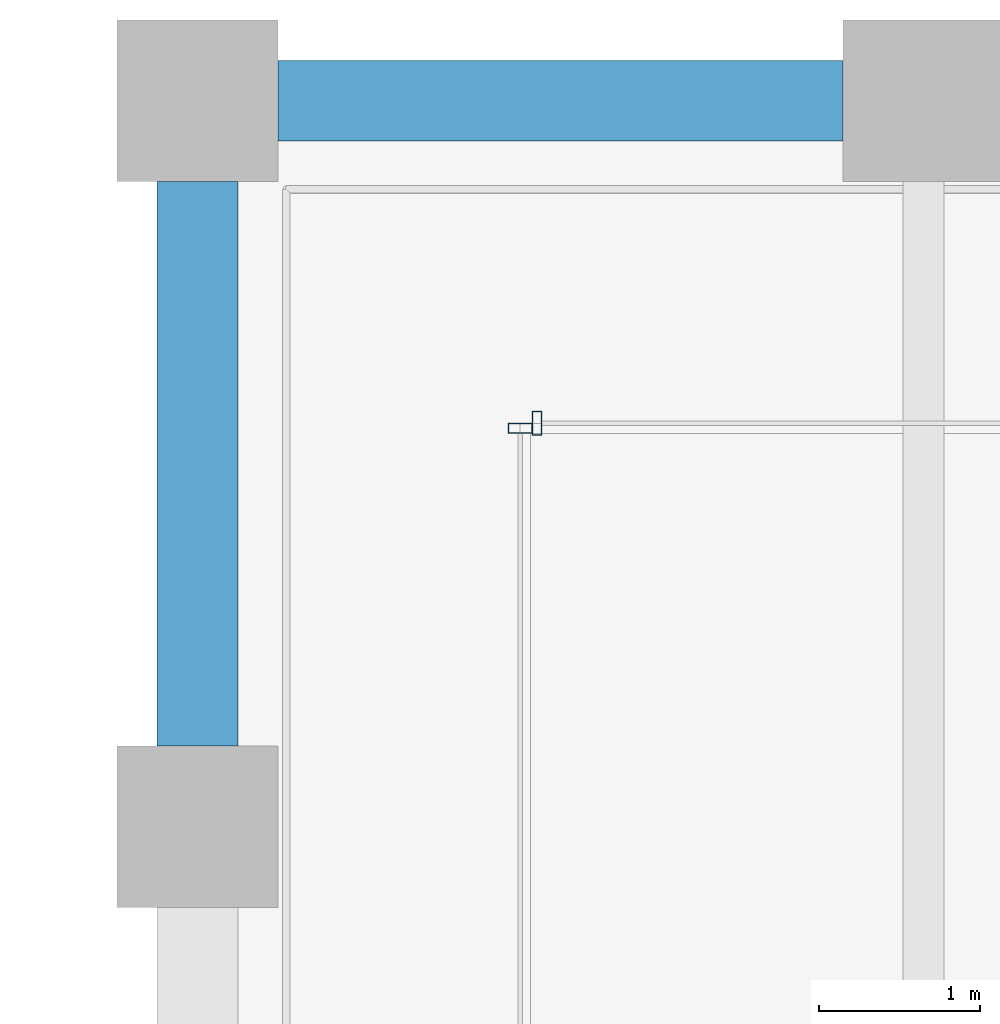
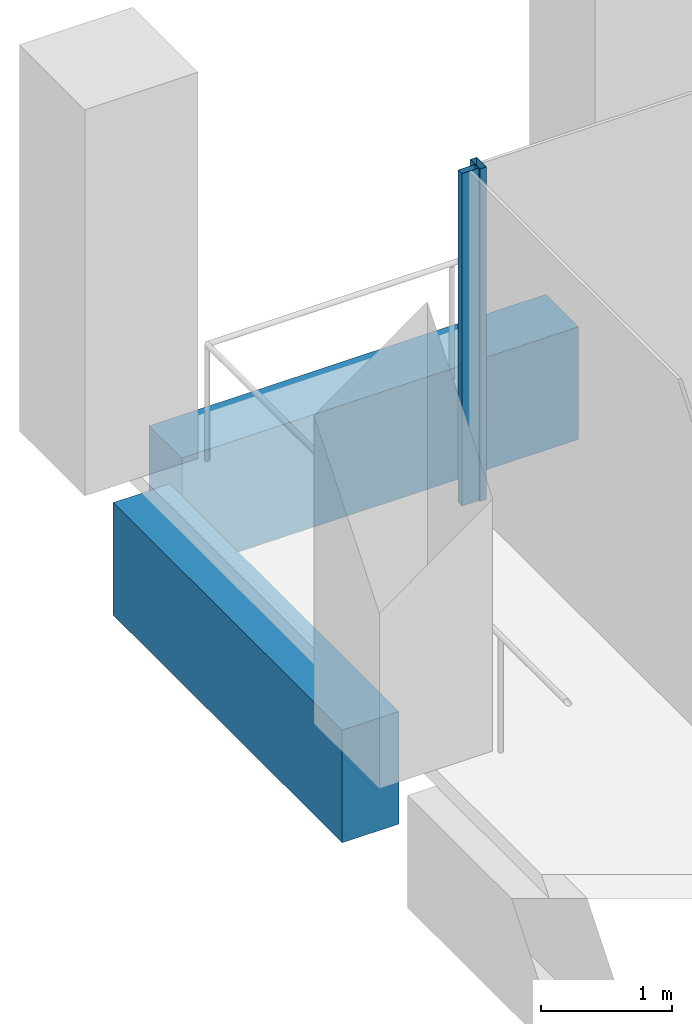
# One storey, part 21 of 47: 2 beams, 2 members, 2 elements without a shape of their own.
"""IFC4 building model written with IfcOpenShell, lengths in metres."""

from ifc_helpers import new_model, si_unit, direction, frame, origin, origin_2d, place, context, subcontext, project, spatial, rectangle, hollow_rectangle, extrude, material, material_profile, profile_set, type_object, element, aggregate, save


model = new_model("IFC4")

# Units and contexts
model_context = context("Model", 3, precision=1e-05, world=origin(), true_north=direction((0.0, 1.0)))
body_context = subcontext(model_context, "Body", "Model", "MODEL_VIEW")
ifc_project = project(units=[si_unit("LENGTHUNIT", "METRE"), si_unit("AREAUNIT", "SQUARE_METRE"), si_unit("VOLUMEUNIT", "CUBIC_METRE"), si_unit("PLANEANGLEUNIT", "RADIAN"), si_unit("MASSUNIT", "GRAM", prefix="KILO")], contexts=[model_context])

# Site, building, storey
site_placement = place(None, origin())
site = spatial("IfcSite", under=ifc_project, at=site_placement, CompositionType="ELEMENT")
building_placement = place(site_placement, origin())
building = spatial("IfcBuilding", under=site, at=building_placement, Name="Altepetl Exchange Towers", CompositionType="ELEMENT")
storey_placement = place(building_placement, frame((0.0, 0.0, 99.199951171875)))
storey = spatial("IfcBuildingStorey", under=building, at=storey_placement, Name="L24", CompositionType="ELEMENT", Elevation=99.199951171875)

# Curtain wall, member
ifc_material_1 = material(Name="Aluminium 6063-T6 glazing", Category="aluminium")
curtain_wall_type = type_object("IfcCurtainWallType", Name="Loggia glazing system", PredefinedType="NOTDEFINED", material=ifc_material_1)
curtain_wall_1_placement = place(storey_placement, origin())
curtain_wall_1 = element("IfcCurtainWall", 1, at=curtain_wall_1_placement, inside=storey, type_object=curtain_wall_type, Name="CW1 run", PredefinedType="NOTDEFINED")
ifc_material_2 = material(Name="Aluminium 6063-T6", Category="aluminium")
ifc_material_profile_1 = material_profile(ifc_material_2, hollow_rectangle(XDim=0.06005859375, YDim=0.14990234375, WallThickness=0.0029296875, at=origin_2d()), Name="Mullion 60x150 aluminium")
ifc_profile_set_1 = profile_set([ifc_material_profile_1], Name="Aluminium 6063-T6")
member_type = type_object("IfcMemberType", Name="Mullion 60x150 aluminium", PredefinedType="MULLION", material=ifc_profile_set_1)
member_1_placement = place(storey_placement, frame((42.60498046875, 70.0, 0.0), z_axis=(0.0, 0.0, 1.0), x_axis=(-1.0, 0.0, 0.0)))
member_1 = element("IfcMember", 2, at=member_1_placement, type_object=member_type, Name="MU1 mullion", PredefinedType="MULLION", context=body_context, shape_type="SweptSolid", body=[
    extrude(hollow_rectangle(XDim=0.06005859375, YDim=0.14990234375, WallThickness=0.0029296875, at=origin_2d()), origin(), (0.0, 0.0, 1.0), 3.10009765625),
])
aggregate(curtain_wall_1, [member_1])

curtain_wall_2_placement = place(storey_placement, origin())
curtain_wall_2 = element("IfcCurtainWall", 3, at=curtain_wall_2_placement, inside=storey, type_object=curtain_wall_type, Name="CW1 run", PredefinedType="NOTDEFINED")
member_2_placement = place(storey_placement, frame((42.5, 69.969970703125, 0.0), z_axis=(0.0, 0.0, 1.0), x_axis=(0.0, -1.0, 0.0)))
member_2 = element("IfcMember", 4, at=member_2_placement, type_object=member_type, Name="MU1 mullion", PredefinedType="MULLION", context=body_context, shape_type="SweptSolid", body=[
    extrude(hollow_rectangle(XDim=0.06005859375, YDim=0.14990234375, WallThickness=0.0029296875, at=origin_2d()), origin(), (0.0, 0.0, 1.0), 3.10009765625),
])
aggregate(curtain_wall_2, [member_2])

# Beams
ifc_material_3 = material(Name="Concrete C50/60 precast with cantera rosa facing", Category="concrete")
ifc_material_profile_2 = material_profile(ifc_material_3, rectangle(XDim=0.5, YDim=1.050048828125, at=origin_2d()), Name="500 x 1050")
ifc_profile_set_2 = profile_set([ifc_material_profile_2], Name="Concrete C50/60 precast with cantera rosa facing")
beam_type_1 = type_object("IfcBeamType", Name="Spandrel beam 500x1050 cantera rosa", PredefinedType="SPANDREL", material=ifc_profile_set_2)
beam_1_placement = place(storey_placement, frame((44.5, 72.0, -0.675048828125), z_axis=(-1.0, 0.0, 0.0), x_axis=(0.0, -1.0, 0.0)))
element("IfcBeam", 5, at=beam_1_placement, inside=storey, type_object=beam_type_1, Name="sp:A:L24:029", PredefinedType="SPANDREL", context=body_context, shape_type="SweptSolid", body=[
    extrude(rectangle(XDim=0.5, YDim=1.050048828125, at=origin_2d()), origin(), (0.0, 0.0, 1.0), 3.5),
])
ifc_material_4 = material(Name="Concrete C50/60 precast with tezontle facing", Category="concrete")
ifc_material_profile_3 = material_profile(ifc_material_4, rectangle(XDim=0.5, YDim=1.050048828125, at=origin_2d()), Name="500 x 1050")
ifc_profile_set_3 = profile_set([ifc_material_profile_3], Name="Concrete C50/60 precast with tezontle facing")
beam_type_2 = type_object("IfcBeamType", Name="Spandrel beam 500x1050 tezontle", PredefinedType="SPANDREL", material=ifc_profile_set_3)
beam_2_placement = place(storey_placement, frame((40.5, 71.5, -0.675048828125), z_axis=(0.0, -1.0, 0.0), x_axis=(1.0, 0.0, 0.0)))
element("IfcBeam", 6, at=beam_2_placement, inside=storey, type_object=beam_type_2, Name="sp:A:L24:030", PredefinedType="SPANDREL", context=body_context, shape_type="SweptSolid", body=[
    extrude(rectangle(XDim=0.5, YDim=1.050048828125, at=origin_2d()), origin(), (0.0, 0.0, 1.0), 3.5),
])

save(model, "model.ifc")
